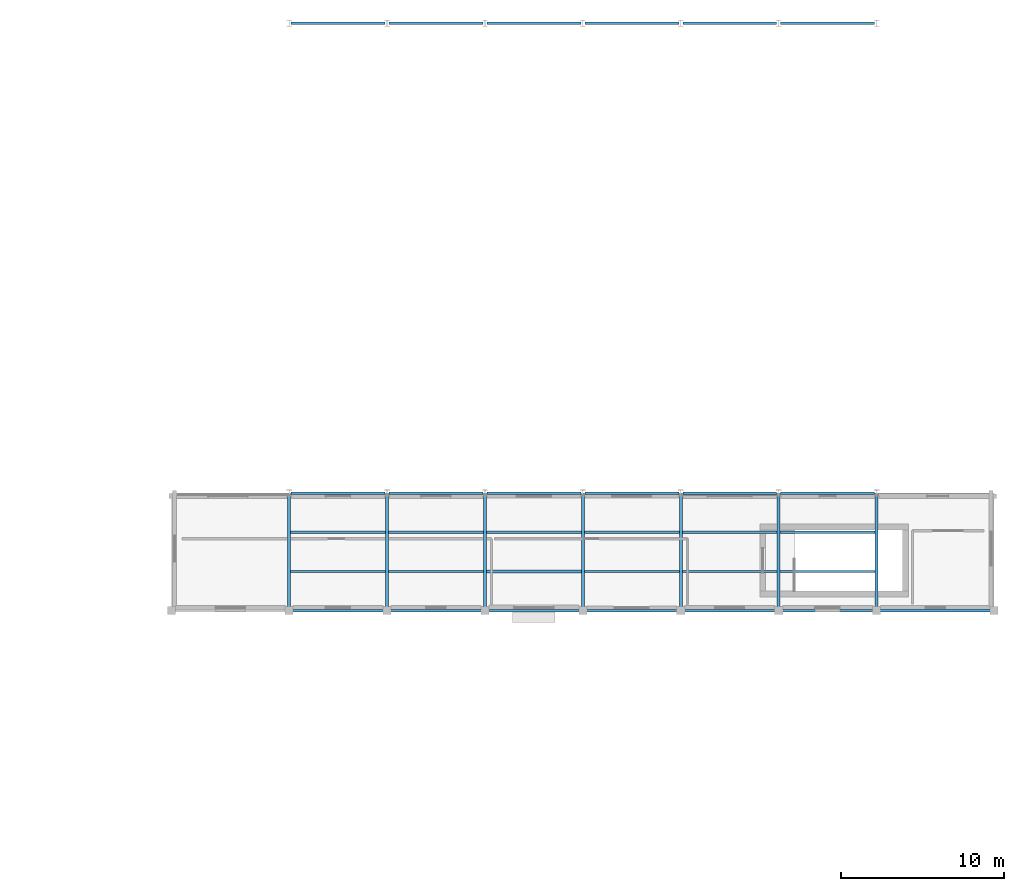
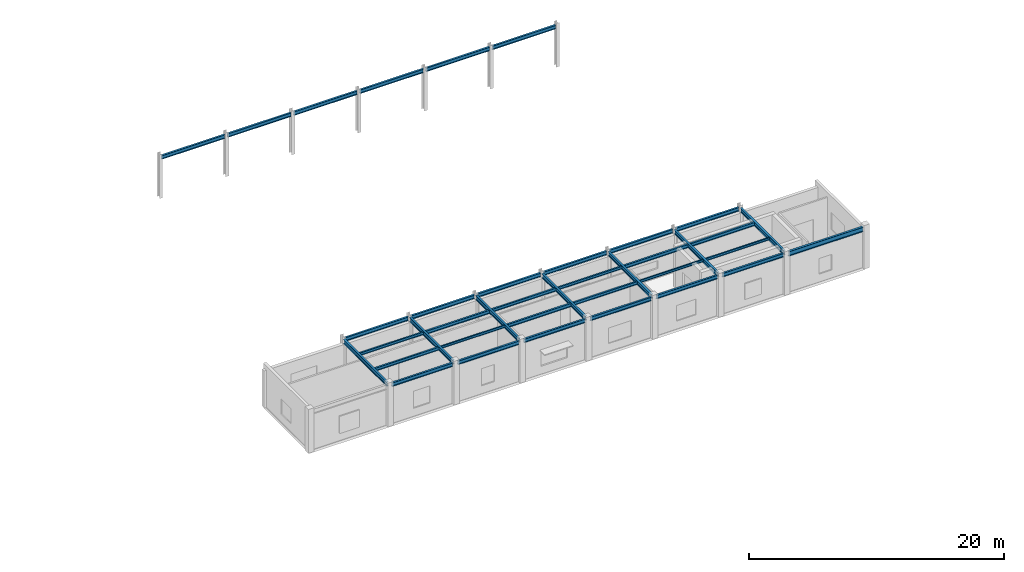
# One storey, part 23 of 47: 38 beams.
"""IFC4 building model written with IfcOpenShell, lengths in metres."""

from ifc_helpers import new_model, si_unit, direction, frame, origin, origin_2d, place, context, subcontext, project, spatial, i_section, extrude, material, material_profile, profile_set, type_object, element, save


model = new_model("IFC4")

# Units and contexts
model_context = context("Model", 3, precision=1e-05, world=origin(), true_north=direction((0.0, 1.0)))
body_context = subcontext(model_context, "Body", "Model", "MODEL_VIEW")
ifc_project = project(units=[si_unit("LENGTHUNIT", "METRE"), si_unit("AREAUNIT", "SQUARE_METRE"), si_unit("VOLUMEUNIT", "CUBIC_METRE"), si_unit("PLANEANGLEUNIT", "RADIAN"), si_unit("MASSUNIT", "GRAM", prefix="KILO")], contexts=[model_context])

# Site, building, storey
site_placement = place(None, origin())
site = spatial("IfcSite", under=ifc_project, at=site_placement, CompositionType="ELEMENT")
building_placement = place(site_placement, origin())
building = spatial("IfcBuilding", under=site, at=building_placement, Name="Brisavento Harbour Community Centre", CompositionType="ELEMENT")
storey_placement = place(building_placement, frame((0.0, 0.0, 8.699951171875)))
storey = spatial("IfcBuildingStorey", under=building, at=storey_placement, Name="L02", CompositionType="ELEMENT", Elevation=8.699951171875)

# Beams
ifc_material = material(Name="Steel S355", Category="steel")
ifc_material_profile_1 = material_profile(ifc_material, i_section(OverallWidth=0.1201171875, OverallDepth=0.239990234375, WebThickness=0.006103515625, FlangeThickness=0.009765625, FilletRadius=0.014892578125, at=origin_2d()), Name="Steel S355")
ifc_profile_set_1 = profile_set([ifc_material_profile_1], Name="Steel S355")
beam_type_1 = type_object("IfcBeamType", Name="BM-STL-IPE240", PredefinedType="JOIST", material=ifc_profile_set_1)
for number, where, z_axis, x_axis, name in (
    (1, (135.68994140625, 81.60009765625, 3.840087890625), (1.0, 0.0, 0.0), (0.0, 1.0, 0.0), "L02 secondary floor joist 0303"),
    (2, (153.68994140625, 81.60009765625, 3.840087890625), (1.0, 0.0, 0.0), (0.0, 1.0, 0.0), "L02 secondary floor joist 0319"),
    (3, (159.68994140625, 81.60009765625, 3.840087890625), (1.0, 0.0, 0.0), (0.0, 1.0, 0.0), "L02 secondary floor joist 0323"),
):
    element("IfcBeam", number, at=place(storey_placement, frame(where, z_axis=z_axis, x_axis=x_axis)), inside=storey, type_object=beam_type_1, Name=name, PredefinedType="JOIST", context=body_context, shape_type="SweptSolid", body=[
        extrude(i_section(OverallWidth=0.1201171875, OverallDepth=0.239990234375, WebThickness=0.006103515625, FlangeThickness=0.009765625, FilletRadius=0.014892578125, at=origin_2d()), origin(), (0.0, 0.0, 1.0), 5.820068359375),
    ])
ifc_material_profile_2 = material_profile(ifc_material, i_section(OverallWidth=0.135009765625, OverallDepth=0.27001953125, WebThickness=0.006591796875, FlangeThickness=0.01025390625, FilletRadius=0.014892578125, at=origin_2d()), Name="Steel S355")
ifc_profile_set_2 = profile_set([ifc_material_profile_2], Name="Steel S355")
beam_type_2 = type_object("IfcBeamType", Name="BM-STL-IPE270", PredefinedType="JOIST", material=ifc_profile_set_2)
for number, where, z_axis, x_axis, name in (
    (4, (129.68994140625, 84.0, 3.824951171875), (1.0, 0.0, 0.0), (0.0, 1.0, 0.0), "L02 secondary floor joist 0302"),
    (5, (147.68994140625, 84.0, 3.824951171875), (1.0, 0.0, 0.0), (0.0, 1.0, 0.0), "L02 secondary floor joist 0314"),
):
    element("IfcBeam", number, at=place(storey_placement, frame(where, z_axis=z_axis, x_axis=x_axis)), inside=storey, type_object=beam_type_2, Name=name, PredefinedType="JOIST", context=body_context, shape_type="SweptSolid", body=[
        extrude(i_section(OverallWidth=0.135009765625, OverallDepth=0.27001953125, WebThickness=0.006591796875, FlangeThickness=0.01025390625, FilletRadius=0.014892578125, at=origin_2d()), origin(), (0.0, 0.0, 1.0), 5.820068359375),
    ])
ifc_material_profile_3 = material_profile(ifc_material, i_section(OverallWidth=0.14990234375, OverallDepth=0.300048828125, WebThickness=0.007080078125, FlangeThickness=0.0107421875, FilletRadius=0.014892578125, at=origin_2d()), Name="Steel S355")
ifc_profile_set_3 = profile_set([ifc_material_profile_3], Name="Steel S355")
beam_type_3 = type_object("IfcBeamType", Name="BM-STL-IPE300", PredefinedType="JOIST", material=ifc_profile_set_3)
for number, where, z_axis, x_axis, name in (
    (6, (129.68994140625, 81.60009765625, 3.81005859375), (1.0, 0.0, 0.0), (0.0, 1.0, 0.0), "L02 secondary floor joist 0301"),
    (7, (141.68994140625, 84.0, 3.81005859375), (1.0, 0.0, 0.0), (0.0, 1.0, 0.0), "L02 secondary floor joist 0309"),
    (8, (147.68994140625, 81.60009765625, 3.81005859375), (1.0, 0.0, 0.0), (0.0, 1.0, 0.0), "L02 secondary floor joist 0313"),
):
    element("IfcBeam", number, at=place(storey_placement, frame(where, z_axis=z_axis, x_axis=x_axis)), inside=storey, type_object=beam_type_3, Name=name, PredefinedType="JOIST", context=body_context, shape_type="SweptSolid", body=[
        extrude(i_section(OverallWidth=0.14990234375, OverallDepth=0.300048828125, WebThickness=0.007080078125, FlangeThickness=0.0107421875, FilletRadius=0.014892578125, at=origin_2d()), origin(), (0.0, 0.0, 1.0), 5.820068359375),
    ])
ifc_material_profile_4 = material_profile(ifc_material, i_section(OverallWidth=0.159912109375, OverallDepth=0.330078125, WebThickness=0.007568359375, FlangeThickness=0.011474609375, FilletRadius=0.01806640625, at=origin_2d()), Name="Steel S355")
ifc_profile_set_4 = profile_set([ifc_material_profile_4], Name="Steel S355")
beam_type_4 = type_object("IfcBeamType", Name="BM-STL-IPE330", PredefinedType="JOIST", material=ifc_profile_set_4)
for number, where, z_axis, x_axis, name in (
    (9, (135.68994140625, 84.0, 3.795166015625), (1.0, 0.0, 0.0), (0.0, 1.0, 0.0), "L02 secondary floor joist 0304"),
    (10, (141.68994140625, 81.60009765625, 3.795166015625), (1.0, 0.0, 0.0), (0.0, 1.0, 0.0), "L02 secondary floor joist 0308"),
    (11, (153.68994140625, 84.0, 3.795166015625), (1.0, 0.0, 0.0), (0.0, 1.0, 0.0), "L02 secondary floor joist 0320"),
    (12, (159.68994140625, 84.0, 3.795166015625), (1.0, 0.0, 0.0), (0.0, 1.0, 0.0), "L02 secondary floor joist 0324"),
):
    element("IfcBeam", number, at=place(storey_placement, frame(where, z_axis=z_axis, x_axis=x_axis)), inside=storey, type_object=beam_type_4, Name=name, PredefinedType="JOIST", context=body_context, shape_type="SweptSolid", body=[
        extrude(i_section(OverallWidth=0.159912109375, OverallDepth=0.330078125, WebThickness=0.007568359375, FlangeThickness=0.011474609375, FilletRadius=0.01806640625, at=origin_2d()), origin(), (0.0, 0.0, 1.0), 5.820068359375),
    ])
ifc_material_profile_5 = material_profile(ifc_material, i_section(OverallWidth=0.169921875, OverallDepth=0.360107421875, WebThickness=0.008056640625, FlangeThickness=0.0126953125, FilletRadius=0.01806640625, at=origin_2d()), Name="Steel S355")
ifc_profile_set_5 = profile_set([ifc_material_profile_5], Name="Steel S355")
beam_type_5 = type_object("IfcBeamType", Name="BM-STL-IPE360", PredefinedType="BEAM", material=ifc_profile_set_5)
for number, where, z_axis, x_axis, name in (
    (13, (129.820068359375, 79.199951171875, 3.780029296875), (1.0, 0.0, 0.0), (0.0, 1.0, 0.0), "L02 primary girder X0573"),
    (14, (135.820068359375, 79.199951171875, 3.780029296875), (1.0, 0.0, 0.0), (0.0, 1.0, 0.0), "L02 primary girder X0574"),
    (15, (141.820068359375, 79.199951171875, 3.780029296875), (1.0, 0.0, 0.0), (0.0, 1.0, 0.0), "L02 primary girder X0575"),
    (16, (147.820068359375, 79.199951171875, 3.780029296875), (1.0, 0.0, 0.0), (0.0, 1.0, 0.0), "L02 primary girder X0576"),
    (17, (153.820068359375, 79.199951171875, 3.780029296875), (1.0, 0.0, 0.0), (0.0, 1.0, 0.0), "L02 primary girder X0577"),
    (18, (159.820068359375, 79.199951171875, 3.780029296875), (1.0, 0.0, 0.0), (0.0, 1.0, 0.0), "L02 primary girder X0578"),
):
    element("IfcBeam", number, at=place(storey_placement, frame(where, z_axis=z_axis, x_axis=x_axis)), inside=storey, type_object=beam_type_5, Name=name, PredefinedType="BEAM", context=body_context, shape_type="SweptSolid", body=[
        extrude(i_section(OverallWidth=0.169921875, OverallDepth=0.360107421875, WebThickness=0.008056640625, FlangeThickness=0.0126953125, FilletRadius=0.01806640625, at=origin_2d()), origin(), (0.0, 0.0, 1.0), 5.559814453125),
    ])
for number, where, z_axis, x_axis, name in (
    (19, (129.719970703125, 86.39990234375, 3.780029296875), (1.0, 0.0, 0.0), (0.0, 1.0, 0.0), "L02 primary girder X0580"),
    (20, (135.719970703125, 86.39990234375, 3.780029296875), (1.0, 0.0, 0.0), (0.0, 1.0, 0.0), "L02 primary girder X0581"),
    (21, (141.719970703125, 86.39990234375, 3.780029296875), (1.0, 0.0, 0.0), (0.0, 1.0, 0.0), "L02 primary girder X0582"),
    (22, (147.719970703125, 86.39990234375, 3.780029296875), (1.0, 0.0, 0.0), (0.0, 1.0, 0.0), "L02 primary girder X0583"),
    (23, (153.719970703125, 86.39990234375, 3.780029296875), (1.0, 0.0, 0.0), (0.0, 1.0, 0.0), "L02 primary girder X0584"),
    (24, (159.719970703125, 86.39990234375, 3.780029296875), (1.0, 0.0, 0.0), (0.0, 1.0, 0.0), "L02 primary girder X0585"),
    (25, (129.719970703125, 115.199951171875, 3.780029296875), (1.0, 0.0, 0.0), (0.0, 1.0, 0.0), "L02 primary girder X0586"),
    (26, (135.719970703125, 115.199951171875, 3.780029296875), (1.0, 0.0, 0.0), (0.0, 1.0, 0.0), "L02 primary girder X0587"),
    (27, (141.719970703125, 115.199951171875, 3.780029296875), (1.0, 0.0, 0.0), (0.0, 1.0, 0.0), "L02 primary girder X0588"),
    (28, (147.719970703125, 115.199951171875, 3.780029296875), (1.0, 0.0, 0.0), (0.0, 1.0, 0.0), "L02 primary girder X0589"),
    (29, (153.719970703125, 115.199951171875, 3.780029296875), (1.0, 0.0, 0.0), (0.0, 1.0, 0.0), "L02 primary girder X0590"),
    (30, (159.719970703125, 115.199951171875, 3.780029296875), (1.0, 0.0, 0.0), (0.0, 1.0, 0.0), "L02 primary girder X0591"),
):
    element("IfcBeam", number, at=place(storey_placement, frame(where, z_axis=z_axis, x_axis=x_axis)), inside=storey, type_object=beam_type_5, Name=name, PredefinedType="BEAM", context=body_context, shape_type="SweptSolid", body=[
        extrude(i_section(OverallWidth=0.169921875, OverallDepth=0.360107421875, WebThickness=0.008056640625, FlangeThickness=0.0126953125, FilletRadius=0.01806640625, at=origin_2d()), origin(), (0.0, 0.0, 1.0), 5.760009765625),
    ])
ifc_material_profile_6 = material_profile(ifc_material, i_section(OverallWidth=0.179931640625, OverallDepth=0.39990234375, WebThickness=0.008544921875, FlangeThickness=0.013427734375, FilletRadius=0.02099609375, at=origin_2d()), Name="Steel S355")
ifc_profile_set_6 = profile_set([ifc_material_profile_6], Name="Steel S355")
beam_type_6 = type_object("IfcBeamType", Name="BM-STL-IPE400", PredefinedType="BEAM", material=ifc_profile_set_6)
for number, where, z_axis, x_axis, name in (
    (31, (129.60009765625, 79.419921875, 3.760009765625), (0.0, 1.0, 0.0), (-1.0, 0.0, 0.0), "L02 primary girder Y0612"),
    (32, (135.60009765625, 79.419921875, 3.760009765625), (0.0, 1.0, 0.0), (-1.0, 0.0, 0.0), "L02 primary girder Y0613"),
    (33, (141.60009765625, 79.419921875, 3.760009765625), (0.0, 1.0, 0.0), (-1.0, 0.0, 0.0), "L02 primary girder Y0616"),
    (34, (147.60009765625, 79.419921875, 3.760009765625), (0.0, 1.0, 0.0), (-1.0, 0.0, 0.0), "L02 primary girder Y0619"),
    (35, (153.60009765625, 79.419921875, 3.760009765625), (0.0, 1.0, 0.0), (-1.0, 0.0, 0.0), "L02 primary girder Y0623"),
    (36, (159.60009765625, 79.419921875, 3.760009765625), (0.0, 1.0, 0.0), (-1.0, 0.0, 0.0), "L02 primary girder Y0626"),
    (37, (165.60009765625, 79.419921875, 3.760009765625), (0.0, 1.0, 0.0), (-1.0, 0.0, 0.0), "L02 primary girder Y0630"),
):
    element("IfcBeam", number, at=place(storey_placement, frame(where, z_axis=z_axis, x_axis=x_axis)), inside=storey, type_object=beam_type_6, Name=name, PredefinedType="BEAM", context=body_context, shape_type="SweptSolid", body=[
        extrude(i_section(OverallWidth=0.179931640625, OverallDepth=0.39990234375, WebThickness=0.008544921875, FlangeThickness=0.013427734375, FilletRadius=0.02099609375, at=origin_2d()), origin(), (0.0, 0.0, 1.0), 6.815185546875),
    ])
ifc_material_profile_7 = material_profile(ifc_material, i_section(OverallWidth=0.18994140625, OverallDepth=0.449951171875, WebThickness=0.009521484375, FlangeThickness=0.0146484375, FilletRadius=0.02099609375, at=origin_2d()), Name="Steel S355")
ifc_profile_set_7 = profile_set([ifc_material_profile_7], Name="Steel S355")
beam_type_7 = type_object("IfcBeamType", Name="BM-STL-IPE450", PredefinedType="BEAM", material=ifc_profile_set_7)
beam_placement = place(storey_placement, frame((165.820068359375, 79.199951171875, 3.735107421875), z_axis=(1.0, 0.0, 0.0), x_axis=(0.0, 1.0, 0.0)))
element("IfcBeam", 38, at=beam_placement, inside=storey, type_object=beam_type_7, Name="L02 primary girder X0579", PredefinedType="BEAM", context=body_context, shape_type="SweptSolid", body=[
    extrude(i_section(OverallWidth=0.18994140625, OverallDepth=0.449951171875, WebThickness=0.009521484375, FlangeThickness=0.0146484375, FilletRadius=0.02099609375, at=origin_2d()), origin(), (0.0, 0.0, 1.0), 6.760009765625),
])

save(model, "model.ifc")
